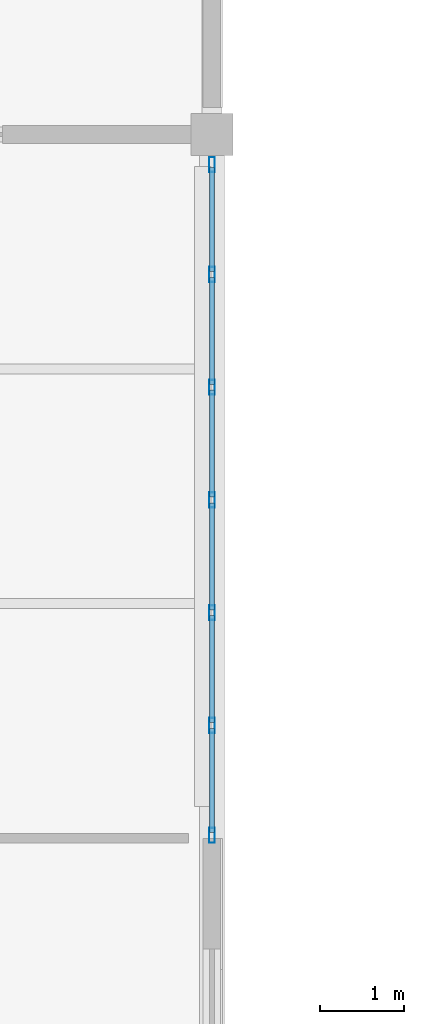
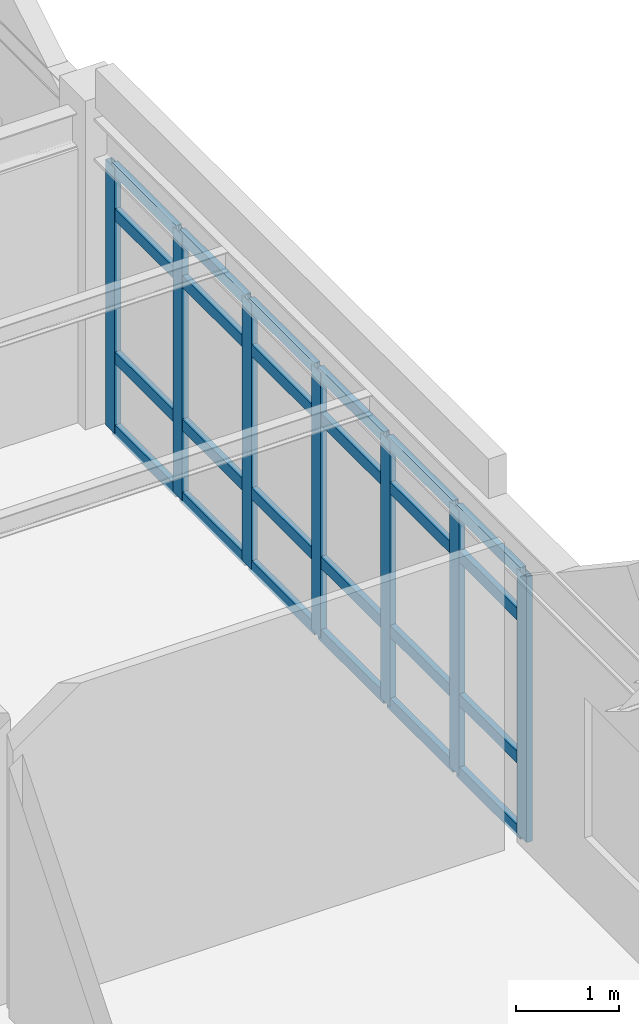
# One storey, part 16 of 45: 31 members, 1 element without a shape of its own.
"""IFC4 building model written with IfcOpenShell, lengths in metres."""

from ifc_helpers import new_model, si_unit, direction, frame, origin, origin_2d, place, context, subcontext, project, spatial, hollow_rectangle, extrude, material, layer, layer_set, material_profile, profile_set, type_object, element, aggregate, save


model = new_model("IFC4")

# Units and contexts
model_context = context("Model", 3, precision=1e-05, world=origin(), true_north=direction((0.0, 1.0)))
body_context = subcontext(model_context, "Body", "Model", "MODEL_VIEW")
ifc_project = project(units=[si_unit("LENGTHUNIT", "METRE"), si_unit("AREAUNIT", "SQUARE_METRE"), si_unit("VOLUMEUNIT", "CUBIC_METRE"), si_unit("PLANEANGLEUNIT", "RADIAN"), si_unit("MASSUNIT", "GRAM", prefix="KILO")], contexts=[model_context])

# Site, building, storey
site_placement = place(None, origin())
site = spatial("IfcSite", under=ifc_project, at=site_placement, CompositionType="ELEMENT")
building_placement = place(site_placement, origin())
building = spatial("IfcBuilding", under=site, at=building_placement, Name="Bramfleet General Hospital", CompositionType="ELEMENT")
storey_placement = place(building_placement, frame((0.0, 0.0, 30.300048828125)))
storey = spatial("IfcBuildingStorey", under=building, at=storey_placement, Name="L07", CompositionType="ELEMENT", Elevation=30.300048828125)

# Curtain wall, members
ifc_material_1 = material(Name="Anodised aluminium and low-E triple glazing", Category="aluminium")
ifc_layer = layer(ifc_material_1, 0.179931640625, Name="CWT-CW-14")
ifc_layer_set = layer_set([ifc_layer], Name="Anodised aluminium and low-E triple glazing")
curtain_wall_type = type_object("IfcCurtainWallType", Name="CWT-CW-14", PredefinedType="USERDEFINED", material=ifc_layer_set)
curtain_wall_placement = place(storey_placement, origin())
curtain_wall = element("IfcCurtainWall", 1, at=curtain_wall_placement, inside=storey, type_object=curtain_wall_type, Name="L07 Curtain Wall 230", ObjectType="Stick curtain wall", PredefinedType="USERDEFINED")
ifc_material_2 = material(Name="Anodised aluminium EN AW-6060", Category="aluminium")
ifc_material_profile_1 = material_profile(ifc_material_2, hollow_rectangle(XDim=0.070068359375, YDim=0.179931640625, WallThickness=0.00390625, at=origin_2d()), Name="ALU 180x70x4.0")
ifc_profile_set_1 = profile_set([ifc_material_profile_1], Name="Anodised aluminium EN AW-6060")
member_type_1 = type_object("IfcMemberType", Name="CWM-ALU180", PredefinedType="MULLION", material=ifc_profile_set_1)
member_1_placement = place(storey_placement, frame((117.60009765625, 75.239990234375, 0.0), z_axis=(0.0, 0.0, 1.0), x_axis=(1.0, 0.0, 0.0)))
member_1 = element("IfcMember", 2, at=member_1_placement, type_object=member_type_1, Name="CW-14 mullion 1", PredefinedType="MULLION", context=body_context, shape_type="SweptSolid", body=[
    extrude(hollow_rectangle(XDim=0.070068359375, YDim=0.179931640625, WallThickness=0.00390625, at=origin_2d()), origin(), (0.0, 0.0, 1.0), 3.14990234375),
])
member_2_placement = place(storey_placement, frame((117.60009765625, 73.92919921875, 0.0), z_axis=(0.0, 0.0, 1.0), x_axis=(1.0, 0.0, 0.0)))
member_2 = element("IfcMember", 3, at=member_2_placement, type_object=member_type_1, Name="CW-14 mullion 2", PredefinedType="MULLION", context=body_context, shape_type="SweptSolid", body=[
    extrude(hollow_rectangle(XDim=0.070068359375, YDim=0.179931640625, WallThickness=0.00390625, at=origin_2d()), origin(), (0.0, 0.0, 1.0), 3.14990234375),
])
member_3_placement = place(storey_placement, frame((117.60009765625, 72.583251953125, 0.0), z_axis=(0.0, 0.0, 1.0), x_axis=(1.0, 0.0, 0.0)))
member_3 = element("IfcMember", 4, at=member_3_placement, type_object=member_type_1, Name="CW-14 mullion 3", PredefinedType="MULLION", context=body_context, shape_type="SweptSolid", body=[
    extrude(hollow_rectangle(XDim=0.070068359375, YDim=0.179931640625, WallThickness=0.00390625, at=origin_2d()), origin(), (0.0, 0.0, 1.0), 3.14990234375),
])
member_4_placement = place(storey_placement, frame((117.60009765625, 71.237548828125, 0.0), z_axis=(0.0, 0.0, 1.0), x_axis=(1.0, 0.0, 0.0)))
member_4 = element("IfcMember", 5, at=member_4_placement, type_object=member_type_1, Name="CW-14 mullion 4", PredefinedType="MULLION", context=body_context, shape_type="SweptSolid", body=[
    extrude(hollow_rectangle(XDim=0.070068359375, YDim=0.179931640625, WallThickness=0.00390625, at=origin_2d()), origin(), (0.0, 0.0, 1.0), 3.14990234375),
])
member_5_placement = place(storey_placement, frame((117.60009765625, 69.8916015625, 0.0), z_axis=(0.0, 0.0, 1.0), x_axis=(1.0, 0.0, 0.0)))
member_5 = element("IfcMember", 6, at=member_5_placement, type_object=member_type_1, Name="CW-14 mullion 5", PredefinedType="MULLION", context=body_context, shape_type="SweptSolid", body=[
    extrude(hollow_rectangle(XDim=0.070068359375, YDim=0.179931640625, WallThickness=0.00390625, at=origin_2d()), origin(), (0.0, 0.0, 1.0), 3.14990234375),
])
member_6_placement = place(storey_placement, frame((117.60009765625, 68.5458984375, 0.0), z_axis=(0.0, 0.0, 1.0), x_axis=(1.0, 0.0, 0.0)))
member_6 = element("IfcMember", 7, at=member_6_placement, type_object=member_type_1, Name="CW-14 mullion 6", PredefinedType="MULLION", context=body_context, shape_type="SweptSolid", body=[
    extrude(hollow_rectangle(XDim=0.070068359375, YDim=0.179931640625, WallThickness=0.00390625, at=origin_2d()), origin(), (0.0, 0.0, 1.0), 3.14990234375),
])
member_7_placement = place(storey_placement, frame((117.60009765625, 67.235107421875, 0.0), z_axis=(0.0, 0.0, 1.0), x_axis=(1.0, 0.0, 0.0)))
member_7 = element("IfcMember", 8, at=member_7_placement, type_object=member_type_1, Name="CW-14 mullion 7", PredefinedType="MULLION", context=body_context, shape_type="SweptSolid", body=[
    extrude(hollow_rectangle(XDim=0.070068359375, YDim=0.179931640625, WallThickness=0.00390625, at=origin_2d()), origin(), (0.0, 0.0, 1.0), 3.14990234375),
])
ifc_material_profile_2 = material_profile(ifc_material_2, hollow_rectangle(XDim=0.06494140625, YDim=0.139892578125, WallThickness=0.00390625, at=origin_2d()), Name="ALU 140x65x4.0")
ifc_profile_set_2 = profile_set([ifc_material_profile_2], Name="Anodised aluminium EN AW-6060")
member_type_2 = type_object("IfcMemberType", Name="CWT-ALU140", PredefinedType="USERDEFINED", material=ifc_profile_set_2)
member_8_placement = place(storey_placement, frame((117.60009765625, 75.205078125, 0.032470703125), z_axis=(0.0, -1.0, 0.0), x_axis=(1.0, 0.0, 0.0)))
member_8 = element("IfcMember", 9, at=member_8_placement, type_object=member_type_2, Name="CW-14 transom 1.1", ObjectType="TRANSOM", PredefinedType="USERDEFINED", context=body_context, shape_type="SweptSolid", body=[
    extrude(hollow_rectangle(XDim=0.06494140625, YDim=0.139892578125, WallThickness=0.00390625, at=origin_2d()), origin(), (0.0, 0.0, 1.0), 1.240966796875),
])
member_9_placement = place(storey_placement, frame((117.60009765625, 75.205078125, 0.89990234375), z_axis=(0.0, -1.0, 0.0), x_axis=(1.0, 0.0, 0.0)))
member_9 = element("IfcMember", 10, at=member_9_placement, type_object=member_type_2, Name="CW-14 transom 1.2", ObjectType="TRANSOM", PredefinedType="USERDEFINED", context=body_context, shape_type="SweptSolid", body=[
    extrude(hollow_rectangle(XDim=0.06494140625, YDim=0.139892578125, WallThickness=0.00390625, at=origin_2d()), origin(), (0.0, 0.0, 1.0), 1.240966796875),
])
member_10_placement = place(storey_placement, frame((117.60009765625, 75.205078125, 2.599853515625), z_axis=(0.0, -1.0, 0.0), x_axis=(1.0, 0.0, 0.0)))
member_10 = element("IfcMember", 11, at=member_10_placement, type_object=member_type_2, Name="CW-14 transom 1.3", ObjectType="TRANSOM", PredefinedType="USERDEFINED", context=body_context, shape_type="SweptSolid", body=[
    extrude(hollow_rectangle(XDim=0.06494140625, YDim=0.139892578125, WallThickness=0.00390625, at=origin_2d()), origin(), (0.0, 0.0, 1.0), 1.240966796875),
])
member_11_placement = place(storey_placement, frame((117.60009765625, 75.205078125, 3.117431640625), z_axis=(0.0, -1.0, 0.0), x_axis=(1.0, 0.0, 0.0)))
member_11 = element("IfcMember", 12, at=member_11_placement, type_object=member_type_2, Name="CW-14 transom 1.4", ObjectType="TRANSOM", PredefinedType="USERDEFINED", context=body_context, shape_type="SweptSolid", body=[
    extrude(hollow_rectangle(XDim=0.06494140625, YDim=0.139892578125, WallThickness=0.00390625, at=origin_2d()), origin(), (0.0, 0.0, 1.0), 1.240966796875),
])
member_12_placement = place(storey_placement, frame((117.60009765625, 73.894287109375, 0.032470703125), z_axis=(0.0, -1.0, 0.0), x_axis=(1.0, 0.0, 0.0)))
member_12 = element("IfcMember", 13, at=member_12_placement, type_object=member_type_2, Name="CW-14 transom 2.1", ObjectType="TRANSOM", PredefinedType="USERDEFINED", context=body_context, shape_type="SweptSolid", body=[
    extrude(hollow_rectangle(XDim=0.06494140625, YDim=0.139892578125, WallThickness=0.00390625, at=origin_2d()), origin(), (0.0, 0.0, 1.0), 1.27587890625),
])
member_13_placement = place(storey_placement, frame((117.60009765625, 73.894287109375, 0.89990234375), z_axis=(0.0, -1.0, 0.0), x_axis=(1.0, 0.0, 0.0)))
member_13 = element("IfcMember", 14, at=member_13_placement, type_object=member_type_2, Name="CW-14 transom 2.2", ObjectType="TRANSOM", PredefinedType="USERDEFINED", context=body_context, shape_type="SweptSolid", body=[
    extrude(hollow_rectangle(XDim=0.06494140625, YDim=0.139892578125, WallThickness=0.00390625, at=origin_2d()), origin(), (0.0, 0.0, 1.0), 1.27587890625),
])
member_14_placement = place(storey_placement, frame((117.60009765625, 73.894287109375, 2.599853515625), z_axis=(0.0, -1.0, 0.0), x_axis=(1.0, 0.0, 0.0)))
member_14 = element("IfcMember", 15, at=member_14_placement, type_object=member_type_2, Name="CW-14 transom 2.3", ObjectType="TRANSOM", PredefinedType="USERDEFINED", context=body_context, shape_type="SweptSolid", body=[
    extrude(hollow_rectangle(XDim=0.06494140625, YDim=0.139892578125, WallThickness=0.00390625, at=origin_2d()), origin(), (0.0, 0.0, 1.0), 1.27587890625),
])
member_15_placement = place(storey_placement, frame((117.60009765625, 73.894287109375, 3.117431640625), z_axis=(0.0, -1.0, 0.0), x_axis=(1.0, 0.0, 0.0)))
member_15 = element("IfcMember", 16, at=member_15_placement, type_object=member_type_2, Name="CW-14 transom 2.4", ObjectType="TRANSOM", PredefinedType="USERDEFINED", context=body_context, shape_type="SweptSolid", body=[
    extrude(hollow_rectangle(XDim=0.06494140625, YDim=0.139892578125, WallThickness=0.00390625, at=origin_2d()), origin(), (0.0, 0.0, 1.0), 1.27587890625),
])
member_16_placement = place(storey_placement, frame((117.60009765625, 72.54833984375, 0.032470703125), z_axis=(0.0, -1.0, 0.0), x_axis=(1.0, 0.0, 0.0)))
member_16 = element("IfcMember", 17, at=member_16_placement, type_object=member_type_2, Name="CW-14 transom 3.1", ObjectType="TRANSOM", PredefinedType="USERDEFINED", context=body_context, shape_type="SweptSolid", body=[
    extrude(hollow_rectangle(XDim=0.06494140625, YDim=0.139892578125, WallThickness=0.00390625, at=origin_2d()), origin(), (0.0, 0.0, 1.0), 1.27587890625),
])
member_17_placement = place(storey_placement, frame((117.60009765625, 72.54833984375, 0.89990234375), z_axis=(0.0, -1.0, 0.0), x_axis=(1.0, 0.0, 0.0)))
member_17 = element("IfcMember", 18, at=member_17_placement, type_object=member_type_2, Name="CW-14 transom 3.2", ObjectType="TRANSOM", PredefinedType="USERDEFINED", context=body_context, shape_type="SweptSolid", body=[
    extrude(hollow_rectangle(XDim=0.06494140625, YDim=0.139892578125, WallThickness=0.00390625, at=origin_2d()), origin(), (0.0, 0.0, 1.0), 1.27587890625),
])
member_18_placement = place(storey_placement, frame((117.60009765625, 72.54833984375, 2.599853515625), z_axis=(0.0, -1.0, 0.0), x_axis=(1.0, 0.0, 0.0)))
member_18 = element("IfcMember", 19, at=member_18_placement, type_object=member_type_2, Name="CW-14 transom 3.3", ObjectType="TRANSOM", PredefinedType="USERDEFINED", context=body_context, shape_type="SweptSolid", body=[
    extrude(hollow_rectangle(XDim=0.06494140625, YDim=0.139892578125, WallThickness=0.00390625, at=origin_2d()), origin(), (0.0, 0.0, 1.0), 1.27587890625),
])
member_19_placement = place(storey_placement, frame((117.60009765625, 72.54833984375, 3.117431640625), z_axis=(0.0, -1.0, 0.0), x_axis=(1.0, 0.0, 0.0)))
member_19 = element("IfcMember", 20, at=member_19_placement, type_object=member_type_2, Name="CW-14 transom 3.4", ObjectType="TRANSOM", PredefinedType="USERDEFINED", context=body_context, shape_type="SweptSolid", body=[
    extrude(hollow_rectangle(XDim=0.06494140625, YDim=0.139892578125, WallThickness=0.00390625, at=origin_2d()), origin(), (0.0, 0.0, 1.0), 1.27587890625),
])
member_20_placement = place(storey_placement, frame((117.60009765625, 71.202392578125, 0.032470703125), z_axis=(0.0, -1.0, 0.0), x_axis=(1.0, 0.0, 0.0)))
member_20 = element("IfcMember", 21, at=member_20_placement, type_object=member_type_2, Name="CW-14 transom 4.1", ObjectType="TRANSOM", PredefinedType="USERDEFINED", context=body_context, shape_type="SweptSolid", body=[
    extrude(hollow_rectangle(XDim=0.06494140625, YDim=0.139892578125, WallThickness=0.00390625, at=origin_2d()), origin(), (0.0, 0.0, 1.0), 1.275634765625),
])
member_21_placement = place(storey_placement, frame((117.60009765625, 71.202392578125, 0.89990234375), z_axis=(0.0, -1.0, 0.0), x_axis=(1.0, 0.0, 0.0)))
member_21 = element("IfcMember", 22, at=member_21_placement, type_object=member_type_2, Name="CW-14 transom 4.2", ObjectType="TRANSOM", PredefinedType="USERDEFINED", context=body_context, shape_type="SweptSolid", body=[
    extrude(hollow_rectangle(XDim=0.06494140625, YDim=0.139892578125, WallThickness=0.00390625, at=origin_2d()), origin(), (0.0, 0.0, 1.0), 1.275634765625),
])
member_22_placement = place(storey_placement, frame((117.60009765625, 71.202392578125, 2.599853515625), z_axis=(0.0, -1.0, 0.0), x_axis=(1.0, 0.0, 0.0)))
member_22 = element("IfcMember", 23, at=member_22_placement, type_object=member_type_2, Name="CW-14 transom 4.3", ObjectType="TRANSOM", PredefinedType="USERDEFINED", context=body_context, shape_type="SweptSolid", body=[
    extrude(hollow_rectangle(XDim=0.06494140625, YDim=0.139892578125, WallThickness=0.00390625, at=origin_2d()), origin(), (0.0, 0.0, 1.0), 1.275634765625),
])
member_23_placement = place(storey_placement, frame((117.60009765625, 71.202392578125, 3.117431640625), z_axis=(0.0, -1.0, 0.0), x_axis=(1.0, 0.0, 0.0)))
member_23 = element("IfcMember", 24, at=member_23_placement, type_object=member_type_2, Name="CW-14 transom 4.4", ObjectType="TRANSOM", PredefinedType="USERDEFINED", context=body_context, shape_type="SweptSolid", body=[
    extrude(hollow_rectangle(XDim=0.06494140625, YDim=0.139892578125, WallThickness=0.00390625, at=origin_2d()), origin(), (0.0, 0.0, 1.0), 1.275634765625),
])
member_24_placement = place(storey_placement, frame((117.60009765625, 69.856689453125, 0.032470703125), z_axis=(0.0, -1.0, 0.0), x_axis=(1.0, 0.0, 0.0)))
member_24 = element("IfcMember", 25, at=member_24_placement, type_object=member_type_2, Name="CW-14 transom 5.1", ObjectType="TRANSOM", PredefinedType="USERDEFINED", context=body_context, shape_type="SweptSolid", body=[
    extrude(hollow_rectangle(XDim=0.06494140625, YDim=0.139892578125, WallThickness=0.00390625, at=origin_2d()), origin(), (0.0, 0.0, 1.0), 1.27587890625),
])
member_25_placement = place(storey_placement, frame((117.60009765625, 69.856689453125, 0.89990234375), z_axis=(0.0, -1.0, 0.0), x_axis=(1.0, 0.0, 0.0)))
member_25 = element("IfcMember", 26, at=member_25_placement, type_object=member_type_2, Name="CW-14 transom 5.2", ObjectType="TRANSOM", PredefinedType="USERDEFINED", context=body_context, shape_type="SweptSolid", body=[
    extrude(hollow_rectangle(XDim=0.06494140625, YDim=0.139892578125, WallThickness=0.00390625, at=origin_2d()), origin(), (0.0, 0.0, 1.0), 1.27587890625),
])
member_26_placement = place(storey_placement, frame((117.60009765625, 69.856689453125, 2.599853515625), z_axis=(0.0, -1.0, 0.0), x_axis=(1.0, 0.0, 0.0)))
member_26 = element("IfcMember", 27, at=member_26_placement, type_object=member_type_2, Name="CW-14 transom 5.3", ObjectType="TRANSOM", PredefinedType="USERDEFINED", context=body_context, shape_type="SweptSolid", body=[
    extrude(hollow_rectangle(XDim=0.06494140625, YDim=0.139892578125, WallThickness=0.00390625, at=origin_2d()), origin(), (0.0, 0.0, 1.0), 1.27587890625),
])
member_27_placement = place(storey_placement, frame((117.60009765625, 69.856689453125, 3.117431640625), z_axis=(0.0, -1.0, 0.0), x_axis=(1.0, 0.0, 0.0)))
member_27 = element("IfcMember", 28, at=member_27_placement, type_object=member_type_2, Name="CW-14 transom 5.4", ObjectType="TRANSOM", PredefinedType="USERDEFINED", context=body_context, shape_type="SweptSolid", body=[
    extrude(hollow_rectangle(XDim=0.06494140625, YDim=0.139892578125, WallThickness=0.00390625, at=origin_2d()), origin(), (0.0, 0.0, 1.0), 1.27587890625),
])
member_28_placement = place(storey_placement, frame((117.60009765625, 68.5107421875, 0.032470703125), z_axis=(0.0, -1.0, 0.0), x_axis=(1.0, 0.0, 0.0)))
member_28 = element("IfcMember", 29, at=member_28_placement, type_object=member_type_2, Name="CW-14 transom 6.1", ObjectType="TRANSOM", PredefinedType="USERDEFINED", context=body_context, shape_type="SweptSolid", body=[
    extrude(hollow_rectangle(XDim=0.06494140625, YDim=0.139892578125, WallThickness=0.00390625, at=origin_2d()), origin(), (0.0, 0.0, 1.0), 1.24072265625),
])
member_29_placement = place(storey_placement, frame((117.60009765625, 68.5107421875, 0.89990234375), z_axis=(0.0, -1.0, 0.0), x_axis=(1.0, 0.0, 0.0)))
member_29 = element("IfcMember", 30, at=member_29_placement, type_object=member_type_2, Name="CW-14 transom 6.2", ObjectType="TRANSOM", PredefinedType="USERDEFINED", context=body_context, shape_type="SweptSolid", body=[
    extrude(hollow_rectangle(XDim=0.06494140625, YDim=0.139892578125, WallThickness=0.00390625, at=origin_2d()), origin(), (0.0, 0.0, 1.0), 1.24072265625),
])
member_30_placement = place(storey_placement, frame((117.60009765625, 68.5107421875, 2.599853515625), z_axis=(0.0, -1.0, 0.0), x_axis=(1.0, 0.0, 0.0)))
member_30 = element("IfcMember", 31, at=member_30_placement, type_object=member_type_2, Name="CW-14 transom 6.3", ObjectType="TRANSOM", PredefinedType="USERDEFINED", context=body_context, shape_type="SweptSolid", body=[
    extrude(hollow_rectangle(XDim=0.06494140625, YDim=0.139892578125, WallThickness=0.00390625, at=origin_2d()), origin(), (0.0, 0.0, 1.0), 1.24072265625),
])
member_31_placement = place(storey_placement, frame((117.60009765625, 68.5107421875, 3.117431640625), z_axis=(0.0, -1.0, 0.0), x_axis=(1.0, 0.0, 0.0)))
member_31 = element("IfcMember", 32, at=member_31_placement, type_object=member_type_2, Name="CW-14 transom 6.4", ObjectType="TRANSOM", PredefinedType="USERDEFINED", context=body_context, shape_type="SweptSolid", body=[
    extrude(hollow_rectangle(XDim=0.06494140625, YDim=0.139892578125, WallThickness=0.00390625, at=origin_2d()), origin(), (0.0, 0.0, 1.0), 1.24072265625),
])
aggregate(curtain_wall, [member_1, member_2, member_3, member_4, member_5, member_6, member_7, member_8, member_9, member_10, member_11, member_12, member_13, member_14, member_15, member_16, member_17, member_18, member_19, member_20, member_21, member_22, member_23, member_24, member_25, member_26, member_27, member_28, member_29, member_30, member_31])

save(model, "model.ifc")
